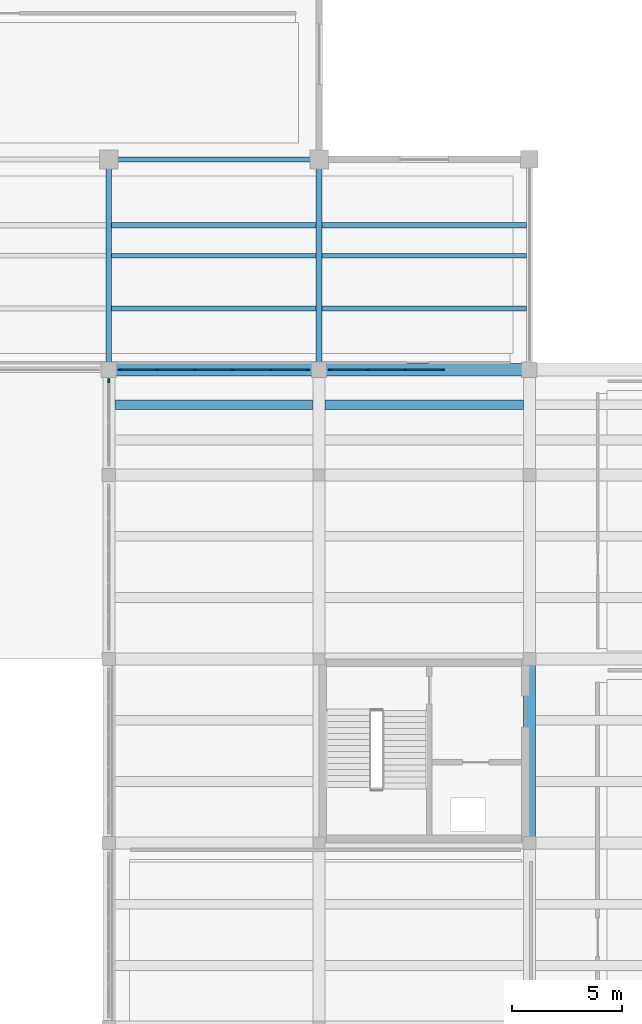
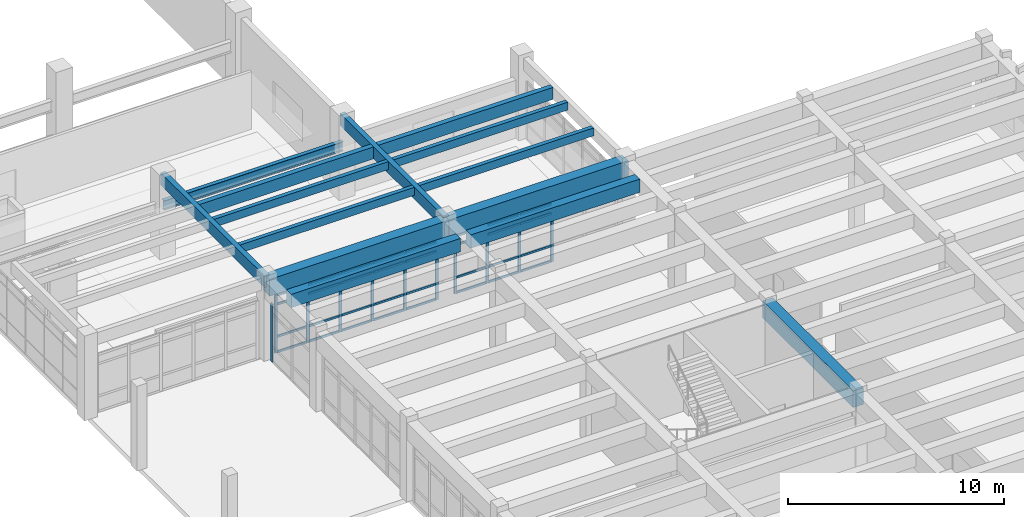
# One storey, part 41 of 86: 43 members, 14 beams, 3 elements without a shape of their own.
"""IFC4 building model written with IfcOpenShell, lengths in metres."""

from ifc_helpers import new_model, si_unit, direction, frame, origin, origin_2d, place, context, subcontext, project, spatial, rectangle, i_section, extrude, material, layer, layer_set, material_profile, profile_set, type_object, element, aggregate, save


model = new_model("IFC4")

# Units and contexts
model_context = context("Model", 3, precision=1e-05, world=origin(), true_north=direction((0.0, 1.0)))
body_context = subcontext(model_context, "Body", "Model", "MODEL_VIEW")
ifc_project = project(units=[si_unit("LENGTHUNIT", "METRE"), si_unit("AREAUNIT", "SQUARE_METRE"), si_unit("VOLUMEUNIT", "CUBIC_METRE"), si_unit("PLANEANGLEUNIT", "RADIAN"), si_unit("MASSUNIT", "GRAM", prefix="KILO")], contexts=[model_context])

# Site, building, storey
site_placement = place(None, origin())
site = spatial("IfcSite", under=ifc_project, at=site_placement, CompositionType="ELEMENT")
building_placement = place(site_placement, origin())
building = spatial("IfcBuilding", under=site, at=building_placement, Name="Kolvemor Railside Polytechnic", CompositionType="ELEMENT")
storey_placement = place(building_placement, frame((0.0, 0.0, 5.39990234375)))
storey = spatial("IfcBuildingStorey", under=building, at=storey_placement, Name="L01", CompositionType="ELEMENT", Elevation=5.39990234375)

# Beams
ifc_material_1 = material(Name="Glulam GL28h", Category="wood")
ifc_material_profile_1 = material_profile(ifc_material_1, rectangle(XDim=0.264892578125, YDim=0.679931640625, at=origin_2d()), Name="GL265x680")
ifc_profile_set_1 = profile_set([ifc_material_profile_1], Name="Glulam GL28h")
beam_type_1 = type_object("IfcBeamType", Name="BM-GL-GIRD2", PredefinedType="BEAM", material=ifc_profile_set_1)
for number, where, z_axis, x_axis, name in (
    (1, (144.133056640625, 88.199951171875, 4.2451171875), (1.0, 0.0, 0.0), (0.0, 1.0, 0.0), "Link Roof North Joist 1085"),
    (2, (153.73291015625, 88.199951171875, 4.2451171875), (1.0, 0.0, 0.0), (0.0, 1.0, 0.0), "Link Roof North Joist 1086"),
):
    element("IfcBeam", number, at=place(storey_placement, frame(where, z_axis=z_axis, x_axis=x_axis)), inside=storey, type_object=beam_type_1, Name=name, PredefinedType="BEAM", context=body_context, shape_type="SweptSolid", body=[
        extrude(rectangle(XDim=0.264892578125, YDim=0.679931640625, at=origin_2d()), origin(), (0.0, 0.0, 1.0), 9.333984375),
    ])
for number, where, z_axis, x_axis, name in (
    (3, (144.0, 81.60009765625, 4.2451171875), (0.0, 1.0, 0.0), (-1.0, 0.0, 0.0), "Link Roof Girder GY 1088"),
    (4, (153.60009765625, 81.60009765625, 4.2451171875), (0.0, 1.0, 0.0), (-1.0, 0.0, 0.0), "Link Roof Girder GY 1089"),
):
    element("IfcBeam", number, at=place(storey_placement, frame(where, z_axis=z_axis, x_axis=x_axis)), inside=storey, type_object=beam_type_1, Name=name, PredefinedType="BEAM", context=body_context, shape_type="SweptSolid", body=[
        extrude(rectangle(XDim=0.264892578125, YDim=0.679931640625, at=origin_2d()), origin(), (0.0, 0.0, 1.0), 9.599853515625),
    ])
ifc_material_2 = material(Name="Glulam GL28h", Category="wood")
ifc_material_profile_2 = material_profile(ifc_material_2, rectangle(XDim=0.215087890625, YDim=0.449951171875, at=origin_2d()), Name="GL215x450")
ifc_profile_set_2 = profile_set([ifc_material_profile_2], Name="Glulam GL28h")
beam_type_2 = type_object("IfcBeamType", Name="BM-GL-JST2", PredefinedType="JOIST", material=ifc_profile_set_2)
for number, where, z_axis, x_axis, name in (
    (5, (144.133056640625, 84.39990234375, 4.360107421875), (1.0, 0.0, 0.0), (0.0, 1.0, 0.0), "Link Roof Joist 1093"),
    (6, (144.133056640625, 86.800048828125, 4.360107421875), (1.0, 0.0, 0.0), (0.0, 1.0, 0.0), "Link Roof Joist 1094"),
    (7, (153.73291015625, 84.39990234375, 4.360107421875), (1.0, 0.0, 0.0), (0.0, 1.0, 0.0), "Link Roof Joist 1095"),
    (8, (153.73291015625, 86.800048828125, 4.360107421875), (1.0, 0.0, 0.0), (0.0, 1.0, 0.0), "Link Roof Joist 1096"),
):
    element("IfcBeam", number, at=place(storey_placement, frame(where, z_axis=z_axis, x_axis=x_axis)), inside=storey, type_object=beam_type_2, Name=name, PredefinedType="JOIST", context=body_context, shape_type="SweptSolid", body=[
        extrude(rectangle(XDim=0.215087890625, YDim=0.449951171875, at=origin_2d()), origin(), (0.0, 0.0, 1.0), 9.333984375),
    ])
ifc_material_3 = material(Name="Concrete C40/50", Category="concrete")
ifc_material_profile_3 = material_profile(ifc_material_3, rectangle(XDim=0.550048828125, YDim=0.949951171875, at=origin_2d()), Name="RC550x950")
ifc_profile_set_3 = profile_set([ifc_material_profile_3], Name="Concrete C40/50")
beam_type_3 = type_object("IfcBeamType", Name="BM-RC-GIRD", PredefinedType="BEAM", material=ifc_profile_set_3)
beam_1_placement = place(storey_placement, frame((144.0, 81.60009765625, 4.005126953125), z_axis=(1.0, 0.0, 0.0), x_axis=(0.0, 1.0, 0.0)))
element("IfcBeam", 9, at=beam_1_placement, inside=storey, type_object=beam_type_3, Name="Primary Girder L02-GX 0931", PredefinedType="BEAM", context=body_context, shape_type="SweptSolid", body=[
    extrude(rectangle(XDim=0.550048828125, YDim=0.949951171875, at=origin_2d()), origin(), (0.0, 0.0, 1.0), 9.60009765625),
])
beam_2_placement = place(storey_placement, frame((153.60009765625, 81.60009765625, 4.005126953125), z_axis=(1.0, 0.0, 0.0), x_axis=(0.0, 1.0, 0.0)))
element("IfcBeam", 10, at=beam_2_placement, inside=storey, type_object=beam_type_3, Name="Primary Girder L02-GX 0932", PredefinedType="BEAM", context=body_context, shape_type="SweptSolid", body=[
    extrude(rectangle(XDim=0.550048828125, YDim=0.949951171875, at=origin_2d()), origin(), (0.0, 0.0, 1.0), 9.599853515625),
])
beam_3_placement = place(storey_placement, frame((163.199951171875, 60.0, 4.005126953125), z_axis=(0.0, 1.0, 0.0), x_axis=(-1.0, 0.0, 0.0)))
element("IfcBeam", 11, at=beam_3_placement, inside=storey, type_object=beam_type_3, Name="Primary Girder L02-GY 0959", PredefinedType="BEAM", context=body_context, shape_type="SweptSolid", body=[
    extrude(rectangle(XDim=0.550048828125, YDim=0.949951171875, at=origin_2d()), origin(), (0.0, 0.0, 1.0), 8.39990234375),
])
ifc_material_4 = material(Name="Concrete C40/50", Category="concrete")
ifc_material_profile_4 = material_profile(ifc_material_4, rectangle(XDim=0.449951171875, YDim=0.75, at=origin_2d()), Name="RC450x750")
ifc_profile_set_4 = profile_set([ifc_material_profile_4], Name="Concrete C40/50")
beam_type_4 = type_object("IfcBeamType", Name="BM-RC-SEC", PredefinedType="JOIST", material=ifc_profile_set_4)
for number, where, z_axis, x_axis, name in (
    (12, (144.27490234375, 80.0, 4.10498046875), (1.0, 0.0, 0.0), (0.0, 1.0, 0.0), "Floor Joist L02-J0997"),
    (13, (153.875, 80.0, 4.10498046875), (1.0, 0.0, 0.0), (0.0, 1.0, 0.0), "Floor Joist L02-J1011"),
):
    element("IfcBeam", number, at=place(storey_placement, frame(where, z_axis=z_axis, x_axis=x_axis)), inside=storey, type_object=beam_type_4, Name=name, PredefinedType="JOIST", context=body_context, shape_type="SweptSolid", body=[
        extrude(rectangle(XDim=0.449951171875, YDim=0.75, at=origin_2d()), origin(), (0.0, 0.0, 1.0), 9.050048828125),
    ])
ifc_material_5 = material(Name="Steel S355", Category="steel")
ifc_material_profile_5 = material_profile(ifc_material_5, i_section(OverallWidth=0.2109375, OverallDepth=0.5390625, WebThickness=0.01171875, FlangeThickness=0.018798828125, FilletRadius=0.013916015625, at=origin_2d()), Name="W530x109")
ifc_profile_set_5 = profile_set([ifc_material_profile_5], Name="Steel S355")
beam_type_5 = type_object("IfcBeamType", Name="BM-ST-CRANE2", PredefinedType="BEAM", material=ifc_profile_set_5)
beam_4_placement = place(storey_placement, frame((144.0, 91.199951171875, 2.730712890625), z_axis=(1.0, 0.0, 0.0), x_axis=(0.0, 1.0, 0.0)))
element("IfcBeam", 14, at=beam_4_placement, inside=storey, type_object=beam_type_5, Name="Workshop Header Steel Girder CRG-G14", PredefinedType="BEAM", context=body_context, shape_type="SweptSolid", body=[
    extrude(i_section(OverallWidth=0.2109375, OverallDepth=0.5390625, WebThickness=0.01171875, FlangeThickness=0.018798828125, FilletRadius=0.013916015625, at=origin_2d()), origin(), (0.0, 0.0, 1.0), 9.60009765625),
])

# Curtain wall, members
ifc_material_6 = material(Name="Anodised marine aluminium and laminated low-E glass", Category="aluminium")
ifc_layer = layer(ifc_material_6, 0.179931640625, Name="CW-UNIT-STD")
ifc_layer_set = layer_set([ifc_layer], Name="Anodised marine aluminium and laminated low-E glass")
curtain_wall_type = type_object("IfcCurtainWallType", Name="CW-UNIT-STD", PredefinedType="USERDEFINED", material=ifc_layer_set)
curtain_wall_1_placement = place(storey_placement, origin())
curtain_wall_1 = element("IfcCurtainWall", 15, at=curtain_wall_1_placement, inside=storey, type_object=curtain_wall_type, Name="Curtain Wall L01-040", ObjectType="UNITISED CURTAIN WALL", PredefinedType="USERDEFINED")
ifc_material_7 = material(Name="Anodised marine aluminium 6063-T6", Category="aluminium")
ifc_material_profile_6 = material_profile(ifc_material_7, rectangle(XDim=0.06494140625, YDim=0.14990234375, at=origin_2d()), Name="CW-MUL-65x150")
ifc_profile_set_6 = profile_set([ifc_material_profile_6], Name="Anodised marine aluminium 6063-T6")
member_type_1 = type_object("IfcMemberType", Name="CWM-65x150", PredefinedType="MULLION", material=ifc_profile_set_6)
member_1_placement = place(storey_placement, frame((153.097412109375, 81.60009765625, 0.0), z_axis=(0.0, 0.0, 1.0), x_axis=(0.0, -1.0, 0.0)))
member_1 = element("IfcMember", 16, at=member_1_placement, type_object=member_type_1, Name="CW-STD mullion 1", PredefinedType="MULLION", context=body_context, shape_type="SweptSolid", body=[
    extrude(rectangle(XDim=0.06494140625, YDim=0.14990234375, at=origin_2d()), origin(), (0.0, 0.0, 1.0), 3.280029296875),
])
member_2_placement = place(storey_placement, frame((151.39794921875, 81.60009765625, 0.0), z_axis=(0.0, 0.0, 1.0), x_axis=(0.0, -1.0, 0.0)))
member_2 = element("IfcMember", 17, at=member_2_placement, type_object=member_type_1, Name="CW-STD mullion 2", PredefinedType="MULLION", context=body_context, shape_type="SweptSolid", body=[
    extrude(rectangle(XDim=0.06494140625, YDim=0.14990234375, at=origin_2d()), origin(), (0.0, 0.0, 1.0), 3.280029296875),
])
member_3_placement = place(storey_placement, frame((149.666015625, 81.60009765625, 0.0), z_axis=(0.0, 0.0, 1.0), x_axis=(0.0, -1.0, 0.0)))
member_3 = element("IfcMember", 18, at=member_3_placement, type_object=member_type_1, Name="CW-STD mullion 3", PredefinedType="MULLION", context=body_context, shape_type="SweptSolid", body=[
    extrude(rectangle(XDim=0.06494140625, YDim=0.14990234375, at=origin_2d()), origin(), (0.0, 0.0, 1.0), 3.280029296875),
])
member_4_placement = place(storey_placement, frame((147.93408203125, 81.60009765625, 0.0), z_axis=(0.0, 0.0, 1.0), x_axis=(0.0, -1.0, 0.0)))
member_4 = element("IfcMember", 19, at=member_4_placement, type_object=member_type_1, Name="CW-STD mullion 4", PredefinedType="MULLION", context=body_context, shape_type="SweptSolid", body=[
    extrude(rectangle(XDim=0.06494140625, YDim=0.14990234375, at=origin_2d()), origin(), (0.0, 0.0, 1.0), 3.280029296875),
])
member_5_placement = place(storey_placement, frame((146.201904296875, 81.60009765625, 0.0), z_axis=(0.0, 0.0, 1.0), x_axis=(0.0, -1.0, 0.0)))
member_5 = element("IfcMember", 20, at=member_5_placement, type_object=member_type_1, Name="CW-STD mullion 5", PredefinedType="MULLION", context=body_context, shape_type="SweptSolid", body=[
    extrude(rectangle(XDim=0.06494140625, YDim=0.14990234375, at=origin_2d()), origin(), (0.0, 0.0, 1.0), 3.280029296875),
])
member_6_placement = place(storey_placement, frame((144.50244140625, 81.60009765625, 0.0), z_axis=(0.0, 0.0, 1.0), x_axis=(0.0, -1.0, 0.0)))
member_6 = element("IfcMember", 21, at=member_6_placement, type_object=member_type_1, Name="CW-STD mullion 6", PredefinedType="MULLION", context=body_context, shape_type="SweptSolid", body=[
    extrude(rectangle(XDim=0.06494140625, YDim=0.14990234375, at=origin_2d()), origin(), (0.0, 0.0, 1.0), 3.280029296875),
])

curtain_wall_2_placement = place(storey_placement, origin())
curtain_wall_2 = element("IfcCurtainWall", 22, at=curtain_wall_2_placement, inside=storey, type_object=curtain_wall_type, Name="Curtain Wall L01-041", ObjectType="UNITISED CURTAIN WALL", PredefinedType="USERDEFINED")
member_7_placement = place(storey_placement, frame((159.26611328125, 81.60009765625, 0.0), z_axis=(0.0, 0.0, 1.0), x_axis=(0.0, -1.0, 0.0)))
member_7 = element("IfcMember", 23, at=member_7_placement, type_object=member_type_1, Name="CW-STD mullion 3", PredefinedType="MULLION", context=body_context, shape_type="SweptSolid", body=[
    extrude(rectangle(XDim=0.06494140625, YDim=0.14990234375, at=origin_2d()), origin(), (0.0, 0.0, 1.0), 3.280029296875),
])
member_8_placement = place(storey_placement, frame((157.533935546875, 81.60009765625, 0.0), z_axis=(0.0, 0.0, 1.0), x_axis=(0.0, -1.0, 0.0)))
member_8 = element("IfcMember", 24, at=member_8_placement, type_object=member_type_1, Name="CW-STD mullion 4", PredefinedType="MULLION", context=body_context, shape_type="SweptSolid", body=[
    extrude(rectangle(XDim=0.06494140625, YDim=0.14990234375, at=origin_2d()), origin(), (0.0, 0.0, 1.0), 3.280029296875),
])
member_9_placement = place(storey_placement, frame((155.802001953125, 81.60009765625, 0.0), z_axis=(0.0, 0.0, 1.0), x_axis=(0.0, -1.0, 0.0)))
member_9 = element("IfcMember", 25, at=member_9_placement, type_object=member_type_1, Name="CW-STD mullion 5", PredefinedType="MULLION", context=body_context, shape_type="SweptSolid", body=[
    extrude(rectangle(XDim=0.06494140625, YDim=0.14990234375, at=origin_2d()), origin(), (0.0, 0.0, 1.0), 3.280029296875),
])
member_10_placement = place(storey_placement, frame((154.1025390625, 81.60009765625, 0.0), z_axis=(0.0, 0.0, 1.0), x_axis=(0.0, -1.0, 0.0)))
member_10 = element("IfcMember", 26, at=member_10_placement, type_object=member_type_1, Name="CW-STD mullion 6", PredefinedType="MULLION", context=body_context, shape_type="SweptSolid", body=[
    extrude(rectangle(XDim=0.06494140625, YDim=0.14990234375, at=origin_2d()), origin(), (0.0, 0.0, 1.0), 3.280029296875),
])

# Curtain wall, member
curtain_wall_3_placement = place(storey_placement, origin())
curtain_wall_3 = element("IfcCurtainWall", 27, at=curtain_wall_3_placement, inside=storey, type_object=curtain_wall_type, Name="Curtain Wall L01-093", ObjectType="UNITISED CURTAIN WALL", PredefinedType="USERDEFINED")
ifc_material_8 = material(Name="Anodised marine aluminium 6063-T6", Category="aluminium")
ifc_material_profile_7 = material_profile(ifc_material_8, rectangle(XDim=0.074951171875, YDim=0.179931640625, at=origin_2d()), Name="CW-MUL-75x180")
ifc_profile_set_7 = profile_set([ifc_material_profile_7], Name="Anodised marine aluminium 6063-T6")
member_type_2 = type_object("IfcMemberType", Name="CWM-75x180", PredefinedType="MULLION", material=ifc_profile_set_7)
member_11_placement = place(storey_placement, frame((144.0, 81.092529296875, 0.0), z_axis=(0.0, 0.0, 1.0), x_axis=(1.0, 0.0, 0.0)))
member_11 = element("IfcMember", 28, at=member_11_placement, type_object=member_type_2, Name="CW-STD mullion 1", PredefinedType="MULLION", context=body_context, shape_type="SweptSolid", body=[
    extrude(rectangle(XDim=0.074951171875, YDim=0.179931640625, at=origin_2d()), origin(), (0.0, 0.0, 1.0), 3.280029296875),
])
aggregate(curtain_wall_3, [member_11])

# Member
ifc_material_9 = material(Name="Anodised marine aluminium 6063-T6", Category="aluminium")
ifc_material_profile_8 = material_profile(ifc_material_9, rectangle(XDim=0.06494140625, YDim=0.1201171875, at=origin_2d()), Name="CW-TRN-65x120")
ifc_profile_set_8 = profile_set([ifc_material_profile_8], Name="Anodised marine aluminium 6063-T6")
member_type_3 = type_object("IfcMemberType", Name="CWT-65x120", PredefinedType="USERDEFINED", material=ifc_profile_set_8)
member_12_placement = place(storey_placement, frame((153.06494140625, 81.60009765625, 0.03271484375), z_axis=(-1.0, 0.0, 0.0), x_axis=(0.0, -1.0, 0.0)))
member_12 = element("IfcMember", 29, at=member_12_placement, type_object=member_type_3, Name="CW-STD transom 1.1", ObjectType="TRANSOM", PredefinedType="USERDEFINED", context=body_context, shape_type="SweptSolid", body=[
    extrude(rectangle(XDim=0.06494140625, YDim=0.1201171875, at=origin_2d()), origin(), (0.0, 0.0, 1.0), 1.634521484375),
])

member_13_placement = place(storey_placement, frame((153.06494140625, 81.60009765625, 0.900146484375), z_axis=(-1.0, 0.0, 0.0), x_axis=(0.0, -1.0, 0.0)))
member_13 = element("IfcMember", 30, at=member_13_placement, type_object=member_type_3, Name="CW-STD transom 1.2", ObjectType="TRANSOM", PredefinedType="USERDEFINED", context=body_context, shape_type="SweptSolid", body=[
    extrude(rectangle(XDim=0.06494140625, YDim=0.1201171875, at=origin_2d()), origin(), (0.0, 0.0, 1.0), 1.634521484375),
])

member_14_placement = place(storey_placement, frame((153.06494140625, 81.60009765625, 2.72998046875), z_axis=(-1.0, 0.0, 0.0), x_axis=(0.0, -1.0, 0.0)))
member_14 = element("IfcMember", 31, at=member_14_placement, type_object=member_type_3, Name="CW-STD transom 1.3", ObjectType="TRANSOM", PredefinedType="USERDEFINED", context=body_context, shape_type="SweptSolid", body=[
    extrude(rectangle(XDim=0.06494140625, YDim=0.1201171875, at=origin_2d()), origin(), (0.0, 0.0, 1.0), 1.634521484375),
])

member_15_placement = place(storey_placement, frame((153.06494140625, 81.60009765625, 3.24755859375), z_axis=(-1.0, 0.0, 0.0), x_axis=(0.0, -1.0, 0.0)))
member_15 = element("IfcMember", 32, at=member_15_placement, type_object=member_type_3, Name="CW-STD transom 1.4", ObjectType="TRANSOM", PredefinedType="USERDEFINED", context=body_context, shape_type="SweptSolid", body=[
    extrude(rectangle(XDim=0.06494140625, YDim=0.1201171875, at=origin_2d()), origin(), (0.0, 0.0, 1.0), 1.634521484375),
])

member_16_placement = place(storey_placement, frame((151.365478515625, 81.60009765625, 0.03271484375), z_axis=(-1.0, 0.0, 0.0), x_axis=(0.0, -1.0, 0.0)))
member_16 = element("IfcMember", 33, at=member_16_placement, type_object=member_type_3, Name="CW-STD transom 2.1", ObjectType="TRANSOM", PredefinedType="USERDEFINED", context=body_context, shape_type="SweptSolid", body=[
    extrude(rectangle(XDim=0.06494140625, YDim=0.1201171875, at=origin_2d()), origin(), (0.0, 0.0, 1.0), 1.6669921875),
])

member_17_placement = place(storey_placement, frame((151.365478515625, 81.60009765625, 0.900146484375), z_axis=(-1.0, 0.0, 0.0), x_axis=(0.0, -1.0, 0.0)))
member_17 = element("IfcMember", 34, at=member_17_placement, type_object=member_type_3, Name="CW-STD transom 2.2", ObjectType="TRANSOM", PredefinedType="USERDEFINED", context=body_context, shape_type="SweptSolid", body=[
    extrude(rectangle(XDim=0.06494140625, YDim=0.1201171875, at=origin_2d()), origin(), (0.0, 0.0, 1.0), 1.6669921875),
])

member_18_placement = place(storey_placement, frame((151.365478515625, 81.60009765625, 2.72998046875), z_axis=(-1.0, 0.0, 0.0), x_axis=(0.0, -1.0, 0.0)))
member_18 = element("IfcMember", 35, at=member_18_placement, type_object=member_type_3, Name="CW-STD transom 2.3", ObjectType="TRANSOM", PredefinedType="USERDEFINED", context=body_context, shape_type="SweptSolid", body=[
    extrude(rectangle(XDim=0.06494140625, YDim=0.1201171875, at=origin_2d()), origin(), (0.0, 0.0, 1.0), 1.6669921875),
])

member_19_placement = place(storey_placement, frame((151.365478515625, 81.60009765625, 3.24755859375), z_axis=(-1.0, 0.0, 0.0), x_axis=(0.0, -1.0, 0.0)))
member_19 = element("IfcMember", 36, at=member_19_placement, type_object=member_type_3, Name="CW-STD transom 2.4", ObjectType="TRANSOM", PredefinedType="USERDEFINED", context=body_context, shape_type="SweptSolid", body=[
    extrude(rectangle(XDim=0.06494140625, YDim=0.1201171875, at=origin_2d()), origin(), (0.0, 0.0, 1.0), 1.6669921875),
])

member_20_placement = place(storey_placement, frame((149.633544921875, 81.60009765625, 0.03271484375), z_axis=(-1.0, 0.0, 0.0), x_axis=(0.0, -1.0, 0.0)))
member_20 = element("IfcMember", 37, at=member_20_placement, type_object=member_type_3, Name="CW-STD transom 3.1", ObjectType="TRANSOM", PredefinedType="USERDEFINED", context=body_context, shape_type="SweptSolid", body=[
    extrude(rectangle(XDim=0.06494140625, YDim=0.1201171875, at=origin_2d()), origin(), (0.0, 0.0, 1.0), 1.6669921875),
])

member_21_placement = place(storey_placement, frame((149.633544921875, 81.60009765625, 0.900146484375), z_axis=(-1.0, 0.0, 0.0), x_axis=(0.0, -1.0, 0.0)))
member_21 = element("IfcMember", 38, at=member_21_placement, type_object=member_type_3, Name="CW-STD transom 3.2", ObjectType="TRANSOM", PredefinedType="USERDEFINED", context=body_context, shape_type="SweptSolid", body=[
    extrude(rectangle(XDim=0.06494140625, YDim=0.1201171875, at=origin_2d()), origin(), (0.0, 0.0, 1.0), 1.6669921875),
])

member_22_placement = place(storey_placement, frame((149.633544921875, 81.60009765625, 2.72998046875), z_axis=(-1.0, 0.0, 0.0), x_axis=(0.0, -1.0, 0.0)))
member_22 = element("IfcMember", 39, at=member_22_placement, type_object=member_type_3, Name="CW-STD transom 3.3", ObjectType="TRANSOM", PredefinedType="USERDEFINED", context=body_context, shape_type="SweptSolid", body=[
    extrude(rectangle(XDim=0.06494140625, YDim=0.1201171875, at=origin_2d()), origin(), (0.0, 0.0, 1.0), 1.6669921875),
])

member_23_placement = place(storey_placement, frame((149.633544921875, 81.60009765625, 3.24755859375), z_axis=(-1.0, 0.0, 0.0), x_axis=(0.0, -1.0, 0.0)))
member_23 = element("IfcMember", 40, at=member_23_placement, type_object=member_type_3, Name="CW-STD transom 3.4", ObjectType="TRANSOM", PredefinedType="USERDEFINED", context=body_context, shape_type="SweptSolid", body=[
    extrude(rectangle(XDim=0.06494140625, YDim=0.1201171875, at=origin_2d()), origin(), (0.0, 0.0, 1.0), 1.6669921875),
])

member_24_placement = place(storey_placement, frame((147.901611328125, 81.60009765625, 0.03271484375), z_axis=(-1.0, 0.0, 0.0), x_axis=(0.0, -1.0, 0.0)))
member_24 = element("IfcMember", 41, at=member_24_placement, type_object=member_type_3, Name="CW-STD transom 4.1", ObjectType="TRANSOM", PredefinedType="USERDEFINED", context=body_context, shape_type="SweptSolid", body=[
    extrude(rectangle(XDim=0.06494140625, YDim=0.1201171875, at=origin_2d()), origin(), (0.0, 0.0, 1.0), 1.6669921875),
])

member_25_placement = place(storey_placement, frame((147.901611328125, 81.60009765625, 0.900146484375), z_axis=(-1.0, 0.0, 0.0), x_axis=(0.0, -1.0, 0.0)))
member_25 = element("IfcMember", 42, at=member_25_placement, type_object=member_type_3, Name="CW-STD transom 4.2", ObjectType="TRANSOM", PredefinedType="USERDEFINED", context=body_context, shape_type="SweptSolid", body=[
    extrude(rectangle(XDim=0.06494140625, YDim=0.1201171875, at=origin_2d()), origin(), (0.0, 0.0, 1.0), 1.6669921875),
])

member_26_placement = place(storey_placement, frame((147.901611328125, 81.60009765625, 2.72998046875), z_axis=(-1.0, 0.0, 0.0), x_axis=(0.0, -1.0, 0.0)))
member_26 = element("IfcMember", 43, at=member_26_placement, type_object=member_type_3, Name="CW-STD transom 4.3", ObjectType="TRANSOM", PredefinedType="USERDEFINED", context=body_context, shape_type="SweptSolid", body=[
    extrude(rectangle(XDim=0.06494140625, YDim=0.1201171875, at=origin_2d()), origin(), (0.0, 0.0, 1.0), 1.6669921875),
])

member_27_placement = place(storey_placement, frame((147.901611328125, 81.60009765625, 3.24755859375), z_axis=(-1.0, 0.0, 0.0), x_axis=(0.0, -1.0, 0.0)))
member_27 = element("IfcMember", 44, at=member_27_placement, type_object=member_type_3, Name="CW-STD transom 4.4", ObjectType="TRANSOM", PredefinedType="USERDEFINED", context=body_context, shape_type="SweptSolid", body=[
    extrude(rectangle(XDim=0.06494140625, YDim=0.1201171875, at=origin_2d()), origin(), (0.0, 0.0, 1.0), 1.6669921875),
])

member_28_placement = place(storey_placement, frame((146.16943359375, 81.60009765625, 0.03271484375), z_axis=(-1.0, 0.0, 0.0), x_axis=(0.0, -1.0, 0.0)))
member_28 = element("IfcMember", 45, at=member_28_placement, type_object=member_type_3, Name="CW-STD transom 5.1", ObjectType="TRANSOM", PredefinedType="USERDEFINED", context=body_context, shape_type="SweptSolid", body=[
    extrude(rectangle(XDim=0.06494140625, YDim=0.1201171875, at=origin_2d()), origin(), (0.0, 0.0, 1.0), 1.634521484375),
])

member_29_placement = place(storey_placement, frame((146.16943359375, 81.60009765625, 0.900146484375), z_axis=(-1.0, 0.0, 0.0), x_axis=(0.0, -1.0, 0.0)))
member_29 = element("IfcMember", 46, at=member_29_placement, type_object=member_type_3, Name="CW-STD transom 5.2", ObjectType="TRANSOM", PredefinedType="USERDEFINED", context=body_context, shape_type="SweptSolid", body=[
    extrude(rectangle(XDim=0.06494140625, YDim=0.1201171875, at=origin_2d()), origin(), (0.0, 0.0, 1.0), 1.634521484375),
])

member_30_placement = place(storey_placement, frame((146.16943359375, 81.60009765625, 2.72998046875), z_axis=(-1.0, 0.0, 0.0), x_axis=(0.0, -1.0, 0.0)))
member_30 = element("IfcMember", 47, at=member_30_placement, type_object=member_type_3, Name="CW-STD transom 5.3", ObjectType="TRANSOM", PredefinedType="USERDEFINED", context=body_context, shape_type="SweptSolid", body=[
    extrude(rectangle(XDim=0.06494140625, YDim=0.1201171875, at=origin_2d()), origin(), (0.0, 0.0, 1.0), 1.634521484375),
])

member_31_placement = place(storey_placement, frame((146.16943359375, 81.60009765625, 3.24755859375), z_axis=(-1.0, 0.0, 0.0), x_axis=(0.0, -1.0, 0.0)))
member_31 = element("IfcMember", 48, at=member_31_placement, type_object=member_type_3, Name="CW-STD transom 5.4", ObjectType="TRANSOM", PredefinedType="USERDEFINED", context=body_context, shape_type="SweptSolid", body=[
    extrude(rectangle(XDim=0.06494140625, YDim=0.1201171875, at=origin_2d()), origin(), (0.0, 0.0, 1.0), 1.634521484375),
])

aggregate(curtain_wall_1, [member_1, member_2, member_3, member_4, member_5, member_6, member_12, member_13, member_14, member_15, member_16, member_17, member_18, member_19, member_20, member_21, member_22, member_23, member_24, member_25, member_26, member_27, member_28, member_29, member_30, member_31])

member_32_placement = place(storey_placement, frame((159.2333984375, 81.60009765625, 0.03271484375), z_axis=(-1.0, 0.0, 0.0), x_axis=(0.0, -1.0, 0.0)))
member_32 = element("IfcMember", 49, at=member_32_placement, type_object=member_type_3, Name="CW-STD transom 3.1", ObjectType="TRANSOM", PredefinedType="USERDEFINED", context=body_context, shape_type="SweptSolid", body=[
    extrude(rectangle(XDim=0.06494140625, YDim=0.1201171875, at=origin_2d()), origin(), (0.0, 0.0, 1.0), 1.6669921875),
])

member_33_placement = place(storey_placement, frame((159.2333984375, 81.60009765625, 0.900146484375), z_axis=(-1.0, 0.0, 0.0), x_axis=(0.0, -1.0, 0.0)))
member_33 = element("IfcMember", 50, at=member_33_placement, type_object=member_type_3, Name="CW-STD transom 3.2", ObjectType="TRANSOM", PredefinedType="USERDEFINED", context=body_context, shape_type="SweptSolid", body=[
    extrude(rectangle(XDim=0.06494140625, YDim=0.1201171875, at=origin_2d()), origin(), (0.0, 0.0, 1.0), 1.6669921875),
])

member_34_placement = place(storey_placement, frame((159.2333984375, 81.60009765625, 2.72998046875), z_axis=(-1.0, 0.0, 0.0), x_axis=(0.0, -1.0, 0.0)))
member_34 = element("IfcMember", 51, at=member_34_placement, type_object=member_type_3, Name="CW-STD transom 3.3", ObjectType="TRANSOM", PredefinedType="USERDEFINED", context=body_context, shape_type="SweptSolid", body=[
    extrude(rectangle(XDim=0.06494140625, YDim=0.1201171875, at=origin_2d()), origin(), (0.0, 0.0, 1.0), 1.6669921875),
])

member_35_placement = place(storey_placement, frame((159.2333984375, 81.60009765625, 3.24755859375), z_axis=(-1.0, 0.0, 0.0), x_axis=(0.0, -1.0, 0.0)))
member_35 = element("IfcMember", 52, at=member_35_placement, type_object=member_type_3, Name="CW-STD transom 3.4", ObjectType="TRANSOM", PredefinedType="USERDEFINED", context=body_context, shape_type="SweptSolid", body=[
    extrude(rectangle(XDim=0.06494140625, YDim=0.1201171875, at=origin_2d()), origin(), (0.0, 0.0, 1.0), 1.6669921875),
])

member_36_placement = place(storey_placement, frame((157.50146484375, 81.60009765625, 0.03271484375), z_axis=(-1.0, 0.0, 0.0), x_axis=(0.0, -1.0, 0.0)))
member_36 = element("IfcMember", 53, at=member_36_placement, type_object=member_type_3, Name="CW-STD transom 4.1", ObjectType="TRANSOM", PredefinedType="USERDEFINED", context=body_context, shape_type="SweptSolid", body=[
    extrude(rectangle(XDim=0.06494140625, YDim=0.1201171875, at=origin_2d()), origin(), (0.0, 0.0, 1.0), 1.6669921875),
])

member_37_placement = place(storey_placement, frame((157.50146484375, 81.60009765625, 0.900146484375), z_axis=(-1.0, 0.0, 0.0), x_axis=(0.0, -1.0, 0.0)))
member_37 = element("IfcMember", 54, at=member_37_placement, type_object=member_type_3, Name="CW-STD transom 4.2", ObjectType="TRANSOM", PredefinedType="USERDEFINED", context=body_context, shape_type="SweptSolid", body=[
    extrude(rectangle(XDim=0.06494140625, YDim=0.1201171875, at=origin_2d()), origin(), (0.0, 0.0, 1.0), 1.6669921875),
])

member_38_placement = place(storey_placement, frame((157.50146484375, 81.60009765625, 2.72998046875), z_axis=(-1.0, 0.0, 0.0), x_axis=(0.0, -1.0, 0.0)))
member_38 = element("IfcMember", 55, at=member_38_placement, type_object=member_type_3, Name="CW-STD transom 4.3", ObjectType="TRANSOM", PredefinedType="USERDEFINED", context=body_context, shape_type="SweptSolid", body=[
    extrude(rectangle(XDim=0.06494140625, YDim=0.1201171875, at=origin_2d()), origin(), (0.0, 0.0, 1.0), 1.6669921875),
])

member_39_placement = place(storey_placement, frame((157.50146484375, 81.60009765625, 3.24755859375), z_axis=(-1.0, 0.0, 0.0), x_axis=(0.0, -1.0, 0.0)))
member_39 = element("IfcMember", 56, at=member_39_placement, type_object=member_type_3, Name="CW-STD transom 4.4", ObjectType="TRANSOM", PredefinedType="USERDEFINED", context=body_context, shape_type="SweptSolid", body=[
    extrude(rectangle(XDim=0.06494140625, YDim=0.1201171875, at=origin_2d()), origin(), (0.0, 0.0, 1.0), 1.6669921875),
])

member_40_placement = place(storey_placement, frame((155.76953125, 81.60009765625, 0.03271484375), z_axis=(-1.0, 0.0, 0.0), x_axis=(0.0, -1.0, 0.0)))
member_40 = element("IfcMember", 57, at=member_40_placement, type_object=member_type_3, Name="CW-STD transom 5.1", ObjectType="TRANSOM", PredefinedType="USERDEFINED", context=body_context, shape_type="SweptSolid", body=[
    extrude(rectangle(XDim=0.06494140625, YDim=0.1201171875, at=origin_2d()), origin(), (0.0, 0.0, 1.0), 1.634521484375),
])

member_41_placement = place(storey_placement, frame((155.76953125, 81.60009765625, 0.900146484375), z_axis=(-1.0, 0.0, 0.0), x_axis=(0.0, -1.0, 0.0)))
member_41 = element("IfcMember", 58, at=member_41_placement, type_object=member_type_3, Name="CW-STD transom 5.2", ObjectType="TRANSOM", PredefinedType="USERDEFINED", context=body_context, shape_type="SweptSolid", body=[
    extrude(rectangle(XDim=0.06494140625, YDim=0.1201171875, at=origin_2d()), origin(), (0.0, 0.0, 1.0), 1.634521484375),
])

member_42_placement = place(storey_placement, frame((155.76953125, 81.60009765625, 2.72998046875), z_axis=(-1.0, 0.0, 0.0), x_axis=(0.0, -1.0, 0.0)))
member_42 = element("IfcMember", 59, at=member_42_placement, type_object=member_type_3, Name="CW-STD transom 5.3", ObjectType="TRANSOM", PredefinedType="USERDEFINED", context=body_context, shape_type="SweptSolid", body=[
    extrude(rectangle(XDim=0.06494140625, YDim=0.1201171875, at=origin_2d()), origin(), (0.0, 0.0, 1.0), 1.634521484375),
])

member_43_placement = place(storey_placement, frame((155.76953125, 81.60009765625, 3.24755859375), z_axis=(-1.0, 0.0, 0.0), x_axis=(0.0, -1.0, 0.0)))
member_43 = element("IfcMember", 60, at=member_43_placement, type_object=member_type_3, Name="CW-STD transom 5.4", ObjectType="TRANSOM", PredefinedType="USERDEFINED", context=body_context, shape_type="SweptSolid", body=[
    extrude(rectangle(XDim=0.06494140625, YDim=0.1201171875, at=origin_2d()), origin(), (0.0, 0.0, 1.0), 1.634521484375),
])

aggregate(curtain_wall_2, [member_7, member_8, member_9, member_10, member_32, member_33, member_34, member_35, member_36, member_37, member_38, member_39, member_40, member_41, member_42, member_43])

save(model, "model.ifc")
